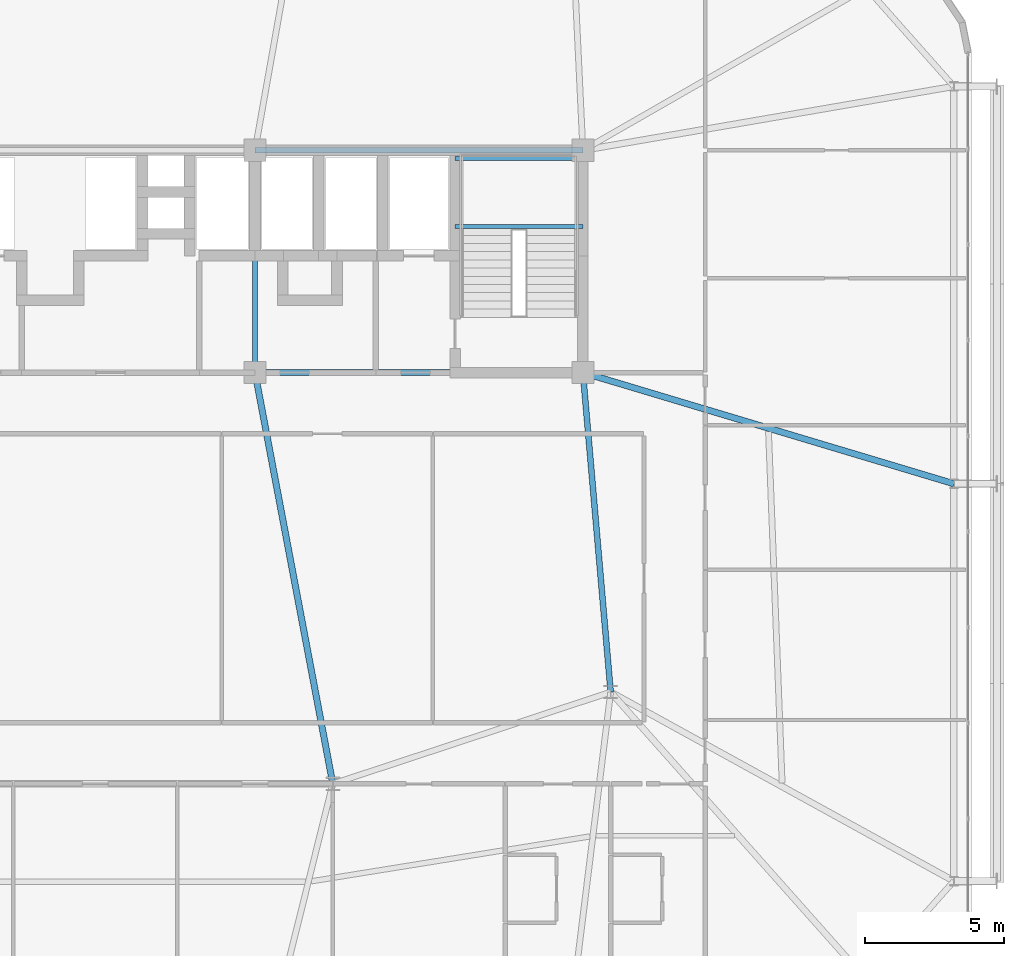
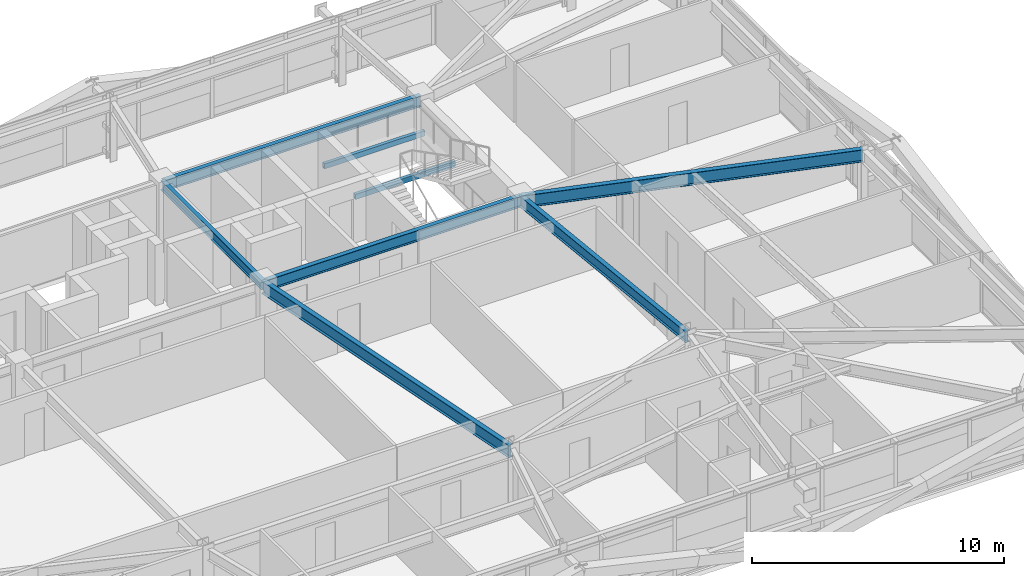
# One storey, part 29 of 58: 8 beams.
"""IFC4 building model written with IfcOpenShell, lengths in metres."""

from ifc_helpers import new_model, si_unit, direction, frame, origin, origin_2d, place, context, subcontext, project, spatial, hollow_rectangle, i_section, extrude, source, transform, mapped, material, material_profile, profile_set, type_object, element, save


model = new_model("IFC4")

# Units and contexts
model_context = context("Model", 3, precision=1e-05, world=origin(), true_north=direction((0.0, 1.0)))
body_context = subcontext(model_context, "Body", "Model", "MODEL_VIEW")
ifc_project = project(units=[si_unit("LENGTHUNIT", "METRE"), si_unit("AREAUNIT", "SQUARE_METRE"), si_unit("VOLUMEUNIT", "CUBIC_METRE"), si_unit("PLANEANGLEUNIT", "RADIAN"), si_unit("MASSUNIT", "GRAM", prefix="KILO")], contexts=[model_context])

# Site, building, storey
site_placement = place(None, origin())
site = spatial("IfcSite", under=ifc_project, at=site_placement, CompositionType="ELEMENT")
building_placement = place(site_placement, origin())
building = spatial("IfcBuilding", under=site, at=building_placement, Name="Taldren Reach Tower", CompositionType="ELEMENT")
storey_placement = place(building_placement, frame((0.0, 0.0, 54.60009765625)))
storey = spatial("IfcBuildingStorey", under=building, at=storey_placement, Name="L16", CompositionType="ELEMENT", Elevation=54.60009765625)

# Beams
ifc_material_1 = material(Name="Steel Gr 350 (350PLUS)", Category="steel")
ifc_material_profile_1 = material_profile(ifc_material_1, i_section(OverallWidth=0.208984375, OverallDepth=0.532958984375, WebThickness=0.01025390625, FlangeThickness=0.015625, at=origin_2d()), Name="530UB92.4")
ifc_profile_set_1 = profile_set([ifc_material_profile_1], Name="Steel Gr 350 (350PLUS)")
beam_type_1 = type_object("IfcBeamType", Name="BM-UB530A", PredefinedType="BEAM", material=ifc_profile_set_1)
shared_shape_1 = source(origin(), body_context, "Body", "SweptSolid", [
    extrude(i_section(OverallWidth=0.208984375, OverallDepth=0.532958984375, WebThickness=0.01025390625, FlangeThickness=0.015625, at=origin_2d()), origin(), (0.0, 0.0, 1.0), 11.800048828125),
])
for number, where, z_axis, x_axis, name in (
    (1, (39.199951171875, 24.0, 2.663330078125), (1.0, 0.0, 0.0), (0.0, 1.0, 0.0), "Core-spine girder L16-SP03"),
    (2, (39.199951171875, 32.0, 2.663330078125), (1.0, 0.0, 0.0), (0.0, 1.0, 0.0), "Core-spine girder L16-SP06"),
):
    element("IfcBeam", number, at=place(storey_placement, frame(where, z_axis=z_axis, x_axis=x_axis)), inside=storey, type_object=beam_type_1, Name=name, PredefinedType="BEAM", context=body_context, shape_type="MappedRepresentation", body=[
        mapped(shared_shape_1, transform((0.0, 0.0, 0.0), scale=1.0)),
    ])
ifc_material_profile_2 = material_profile(ifc_material_1, i_section(OverallWidth=0.19091796875, OverallDepth=0.4599609375, WebThickness=0.010009765625, FlangeThickness=0.01611328125, at=origin_2d()), Name="460UB82.1")
ifc_profile_set_2 = profile_set([ifc_material_profile_2], Name="Steel Gr 350 (350PLUS)")
beam_type_2 = type_object("IfcBeamType", Name="BM-UB460A", PredefinedType="BEAM", material=ifc_profile_set_2)
shared_shape_2 = source(origin(), body_context, "Body", "SweptSolid", [
    extrude(i_section(OverallWidth=0.19091796875, OverallDepth=0.4599609375, WebThickness=0.010009765625, FlangeThickness=0.01611328125, at=origin_2d()), origin(), (0.0, 0.0, 1.0), 8.0),
])
beam_1_placement = place(storey_placement, frame((39.199951171875, 24.0, 2.699951171875), z_axis=(0.0, 1.0, 0.0), x_axis=(-1.0, 0.0, 0.0)))
element("IfcBeam", 3, at=beam_1_placement, inside=storey, type_object=beam_type_2, Name="Core-spine girder L16-SP08", PredefinedType="BEAM", context=body_context, shape_type="MappedRepresentation", body=[
    mapped(shared_shape_2, transform((0.0, 0.0, 0.0), scale=1.0)),
])
shared_shape_3 = source(origin(), body_context, "Body", "SweptSolid", [
    extrude(i_section(OverallWidth=0.208984375, OverallDepth=0.532958984375, WebThickness=0.01025390625, FlangeThickness=0.015625, at=origin_2d()), origin(), (0.0, 0.0, 1.0), 11.54345703125),
])
beam_2_placement = place(storey_placement, frame((52.0, 12.5, 2.663330078125), z_axis=(-0.086629616365, 0.996240588196, 0.0), x_axis=(-0.996240588196, -0.086629616365, 0.0)))
element("IfcBeam", 4, at=beam_2_placement, inside=storey, type_object=beam_type_1, Name="Core-spine girder L16-SP13", PredefinedType="BEAM", context=body_context, shape_type="MappedRepresentation", body=[
    mapped(shared_shape_3, transform((0.0, 0.0, 0.0), scale=1.0)),
])
ifc_material_profile_3 = material_profile(ifc_material_1, i_section(OverallWidth=0.22802734375, OverallDepth=0.60205078125, WebThickness=0.010498046875, FlangeThickness=0.014892578125, at=origin_2d()), Name="610UB101")
ifc_profile_set_3 = profile_set([ifc_material_profile_3], Name="Steel Gr 350 (350PLUS)")
beam_type_3 = type_object("IfcBeamType", Name="BM-UB610B", PredefinedType="BEAM", material=ifc_profile_set_3)
shared_shape_4 = source(origin(), body_context, "Body", "SweptSolid", [
    extrude(i_section(OverallWidth=0.22802734375, OverallDepth=0.60205078125, WebThickness=0.010498046875, FlangeThickness=0.014892578125, at=origin_2d()), origin(), (0.0, 0.0, 1.0), 15.0625),
])
beam_3_placement = place(storey_placement, frame((39.199951171875, 24.0, 2.62890625), z_axis=(0.185894205668, -0.982569765614, 0.0), x_axis=(0.982569765614, 0.185894205668, 0.0)))
element("IfcBeam", 5, at=beam_3_placement, inside=storey, type_object=beam_type_3, Name="Core-spine girder L16-SP15", PredefinedType="BEAM", context=body_context, shape_type="MappedRepresentation", body=[
    mapped(shared_shape_4, transform((0.0, 0.0, 0.0), scale=1.0)),
])
shared_shape_5 = source(origin(), body_context, "Body", "SweptSolid", [
    extrude(i_section(OverallWidth=0.22802734375, OverallDepth=0.60205078125, WebThickness=0.010498046875, FlangeThickness=0.014892578125, at=origin_2d()), origin(), (0.0, 0.0, 1.0), 13.9365234375),
])
beam_4_placement = place(storey_placement, frame((51.0, 24.0, 2.62890625), z_axis=(0.957925550891, -0.287016792104, 0.0), x_axis=(0.287016792104, 0.957925550891, 0.0)))
element("IfcBeam", 6, at=beam_4_placement, inside=storey, type_object=beam_type_3, Name="Primary floor girder B1-E2 L16", PredefinedType="BEAM", context=body_context, shape_type="MappedRepresentation", body=[
    mapped(shared_shape_5, transform((0.0, 0.0, 0.0), scale=1.0)),
])
ifc_material_2 = material(Name="Steel Gr 350 (C350L0)", Category="steel")
ifc_material_profile_4 = material_profile(ifc_material_2, hollow_rectangle(XDim=0.14990234375, YDim=0.25, WallThickness=0.009033203125, at=origin_2d()), Name="250x150x9.0RHS")
ifc_profile_set_4 = profile_set([ifc_material_profile_4], Name="Steel Gr 350 (C350L0)")
beam_type_4 = type_object("IfcBeamType", Name="LN-RHS250", PredefinedType="LINTEL", material=ifc_profile_set_4)
shared_shape_6 = source(origin(), body_context, "Body", "SweptSolid", [
    extrude(hollow_rectangle(XDim=0.14990234375, YDim=0.25, WallThickness=0.009033203125, at=origin_2d()), origin(), (0.0, 0.0, 1.0), 4.60009765625),
])
for number, where, z_axis, x_axis, name in (
    (7, (46.39990234375, 29.2548828125, 1.27001953125), (1.0, 0.0, 0.0), (0.0, 1.0, 0.0), "Stair half-landing support beam ST2-L16-1"),
    (8, (46.39990234375, 31.699951171875, 1.27001953125), (1.0, 0.0, 0.0), (0.0, 1.0, 0.0), "Stair half-landing support beam ST2-L16-2"),
):
    element("IfcBeam", number, at=place(storey_placement, frame(where, z_axis=z_axis, x_axis=x_axis)), inside=storey, type_object=beam_type_4, Name=name, PredefinedType="LINTEL", context=body_context, shape_type="MappedRepresentation", body=[
        mapped(shared_shape_6, transform((0.0, 0.0, 0.0), scale=1.0)),
    ])

save(model, "model.ifc")
